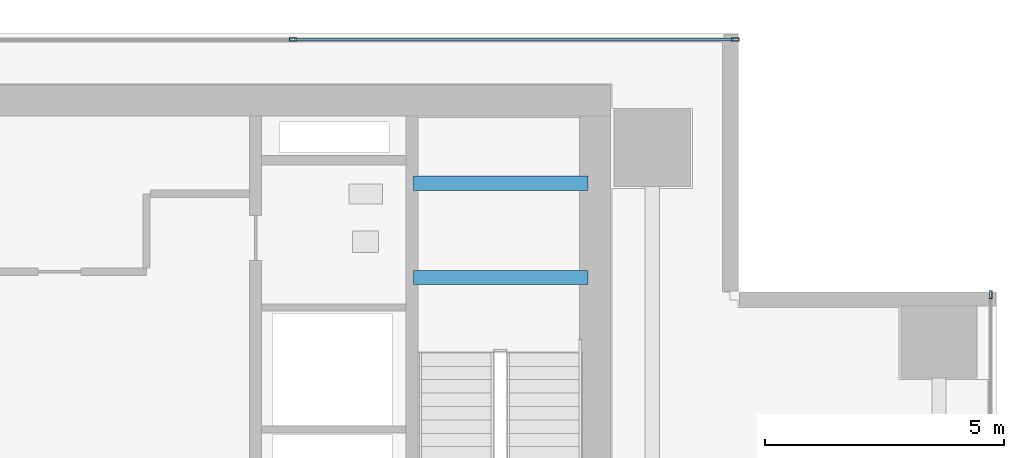
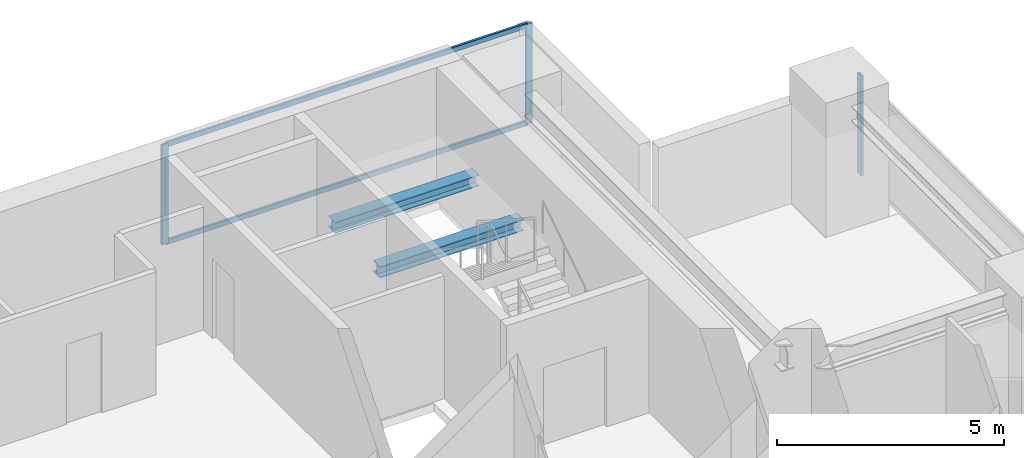
# One storey, part 19 of 28: 5 members, 2 beams, 2 elements without a shape of their own.
"""IFC4 building model written with IfcOpenShell, lengths in metres."""

from ifc_helpers import new_model, si_unit, direction, frame, origin, origin_2d, place, context, subcontext, project, spatial, hollow_rectangle, i_section, extrude, source, transform, mapped, material, layer, layer_set, material_profile, profile_set, type_object, element, aggregate, save


model = new_model("IFC4")

# Units and contexts
model_context = context("Model", 3, precision=1e-05, world=origin(), true_north=direction((0.0, 1.0)))
body_context = subcontext(model_context, "Body", "Model", "MODEL_VIEW")
ifc_project = project(units=[si_unit("LENGTHUNIT", "METRE"), si_unit("AREAUNIT", "SQUARE_METRE"), si_unit("VOLUMEUNIT", "CUBIC_METRE"), si_unit("PLANEANGLEUNIT", "RADIAN"), si_unit("MASSUNIT", "GRAM", prefix="KILO")], contexts=[model_context])

# Site, building, storey
site_placement = place(None, origin())
site = spatial("IfcSite", under=ifc_project, at=site_placement, CompositionType="ELEMENT")
building_placement = place(site_placement, origin())
building = spatial("IfcBuilding", under=site, at=building_placement, Name="Sumidabori Civic Tower", CompositionType="ELEMENT")
storey_placement = place(building_placement, frame((0.0, 0.0, 185.60009765625)))
storey = spatial("IfcBuildingStorey", under=building, at=storey_placement, Name="L48", CompositionType="ELEMENT", Elevation=185.60009765625)

# Beams
ifc_material_1 = material(Name="Steel SN490", Category="steel")
ifc_material_profile_1 = material_profile(ifc_material_1, i_section(OverallWidth=0.300048828125, OverallDepth=0.300048828125, WebThickness=0.010986328125, FlangeThickness=0.01904296875, at=origin_2d()), Name="HE 300 B")
ifc_profile_set_1 = profile_set([ifc_material_profile_1], Name="Steel SN490")
beam_type = type_object("IfcBeamType", Name="BM-LDG-300", PredefinedType="BEAM", material=ifc_profile_set_1)
shared_shape_1 = source(origin(), body_context, "Body", "SweptSolid", [
    extrude(i_section(OverallWidth=0.300048828125, OverallDepth=0.300048828125, WebThickness=0.010986328125, FlangeThickness=0.01904296875, at=origin_2d()), origin(), (0.0, 0.0, 1.0), 3.64990234375),
])
for number, where, z_axis, x_axis, name in (
    (1, (11.800048828125, 20.09765625, 1.449951171875), (1.0, 0.0, 0.0), (0.0, 1.0, 0.0), "Stair ST-2 Landing Support Beam L48-1A"),
    (2, (11.800048828125, 22.069580078125, 1.449951171875), (1.0, 0.0, 0.0), (0.0, 1.0, 0.0), "Stair ST-2 Landing Trimmer Beam L48-1B"),
):
    element("IfcBeam", number, at=place(storey_placement, frame(where, z_axis=z_axis, x_axis=x_axis)), inside=storey, type_object=beam_type, Name=name, PredefinedType="BEAM", context=body_context, shape_type="MappedRepresentation", body=[
        mapped(shared_shape_1, transform((0.0, 0.0, 0.0), x_axis=(1.0, 0.0, 0.0), y_axis=(0.0, 1.0, 0.0), z_axis=(0.0, 0.0, 1.0), scale=1.0)),
    ])

# Curtain wall, member
ifc_material_2 = material(Name="Anodised Bronze Aluminium AW-6063-T6", Category="aluminium")
ifc_layer = layer(ifc_material_2, 0.179931640625, Name="Anodised Bronze Aluminium AW-6063-T6")
ifc_layer_set = layer_set([ifc_layer], Name="Anodised Bronze Aluminium AW-6063-T6")
curtain_wall_type = type_object("IfcCurtainWallType", Name="CW-SYS-3", PredefinedType="NOTDEFINED", material=ifc_layer_set)
curtain_wall_1_placement = place(storey_placement, origin())
curtain_wall_1 = element("IfcCurtainWall", 3, at=curtain_wall_1_placement, inside=storey, type_object=curtain_wall_type, Name="Curtain Wall CW:L48:R04", PredefinedType="NOTDEFINED")
ifc_material_profile_2 = material_profile(ifc_material_2, hollow_rectangle(XDim=0.06494140625, YDim=0.159912109375, WallThickness=0.0048828125, at=origin_2d()), Name="ALU MULLION 160x65")
ifc_profile_set_2 = profile_set([ifc_material_profile_2], Name="Anodised Bronze Aluminium AW-6063-T6")
member_type_1 = type_object("IfcMemberType", Name="CW-MUL-160", PredefinedType="MULLION", material=ifc_profile_set_2)
shared_shape_2 = source(origin(), body_context, "Body", "SweptSolid", [
    extrude(hollow_rectangle(XDim=0.06494140625, YDim=0.159912109375, WallThickness=0.0048828125, at=origin_2d()), origin(), (0.0, 0.0, 1.0), 2.679931640625),
])
member_1_placement = place(storey_placement, frame((23.8798828125, 19.737548828125, 0.0), z_axis=(0.0, 0.0, 1.0), x_axis=(-1.0, 0.0, 0.0)))
member_1 = element("IfcMember", 4, at=member_1_placement, type_object=member_type_1, Name="CW-3 mullion 5", PredefinedType="MULLION", context=body_context, shape_type="MappedRepresentation", body=[
    mapped(shared_shape_2, transform((0.0, 0.0, 0.0), x_axis=(1.0, 0.0, 0.0), y_axis=(0.0, 1.0, 0.0), z_axis=(0.0, 0.0, 1.0), scale=1.0)),
])
aggregate(curtain_wall_1, [member_1])

# Curtain wall, members
curtain_wall_2_placement = place(storey_placement, origin())
curtain_wall_2 = element("IfcCurtainWall", 5, at=curtain_wall_2_placement, inside=storey, type_object=curtain_wall_type, Name="Curtain Wall CW:L48:R07", PredefinedType="NOTDEFINED")
member_2_placement = place(storey_placement, frame((18.53759765625, 25.080078125, 0.0), z_axis=(0.0, 0.0, 1.0), x_axis=(0.0, -1.0, 0.0)))
member_2 = element("IfcMember", 6, at=member_2_placement, type_object=member_type_1, Name="CW-3 mullion 1", PredefinedType="MULLION", context=body_context, shape_type="MappedRepresentation", body=[
    mapped(shared_shape_2, transform((0.0, 0.0, 0.0), x_axis=(1.0, 0.0, 0.0), y_axis=(0.0, 1.0, 0.0), z_axis=(0.0, 0.0, 1.0), scale=1.0)),
])
member_3_placement = place(storey_placement, frame((9.284912109375, 25.080078125, 0.0), z_axis=(0.0, 0.0, 1.0), x_axis=(0.0, -1.0, 0.0)))
member_3 = element("IfcMember", 7, at=member_3_placement, type_object=member_type_1, Name="CW-3 mullion 2", PredefinedType="MULLION", context=body_context, shape_type="MappedRepresentation", body=[
    mapped(shared_shape_2, transform((0.0, 0.0, 0.0), x_axis=(1.0, 0.0, 0.0), y_axis=(0.0, 1.0, 0.0), z_axis=(0.0, 0.0, 1.0), scale=1.0)),
])
ifc_material_profile_3 = material_profile(ifc_material_2, hollow_rectangle(XDim=0.06005859375, YDim=0.1298828125, WallThickness=0.0048828125, at=origin_2d()), Name="ALU TRANSOM 130x60")
ifc_profile_set_3 = profile_set([ifc_material_profile_3], Name="Anodised Bronze Aluminium AW-6063-T6")
member_type_2 = type_object("IfcMemberType", Name="CW-TRN-130", PredefinedType="USERDEFINED", material=ifc_profile_set_3)
shared_shape_3 = source(origin(), body_context, "Body", "SweptSolid", [
    extrude(hollow_rectangle(XDim=0.06005859375, YDim=0.1298828125, WallThickness=0.0048828125, at=origin_2d()), origin(), (0.0, 0.0, 1.0), 9.1875),
])
member_4_placement = place(storey_placement, frame((18.5048828125, 25.080078125, 0.02978515625), z_axis=(-1.0, 0.0, 0.0), x_axis=(0.0, -1.0, 0.0)))
member_4 = element("IfcMember", 8, at=member_4_placement, type_object=member_type_2, Name="CW-3 transom 1.1", ObjectType="TRANSOM", PredefinedType="USERDEFINED", context=body_context, shape_type="MappedRepresentation", body=[
    mapped(shared_shape_3, transform((0.0, 0.0, 0.0), x_axis=(1.0, 0.0, 0.0), y_axis=(0.0, 1.0, 0.0), z_axis=(0.0, 0.0, 1.0), scale=1.0)),
])
member_5_placement = place(storey_placement, frame((18.5048828125, 25.080078125, 2.64990234375), z_axis=(-1.0, 0.0, 0.0), x_axis=(0.0, -1.0, 0.0)))
member_5 = element("IfcMember", 9, at=member_5_placement, type_object=member_type_2, Name="CW-3 transom 1.2", ObjectType="TRANSOM", PredefinedType="USERDEFINED", context=body_context, shape_type="MappedRepresentation", body=[
    mapped(shared_shape_3, transform((0.0, 0.0, 0.0), x_axis=(1.0, 0.0, 0.0), y_axis=(0.0, 1.0, 0.0), z_axis=(0.0, 0.0, 1.0), scale=1.0)),
])
aggregate(curtain_wall_2, [member_2, member_3, member_4, member_5])

save(model, "model.ifc")
